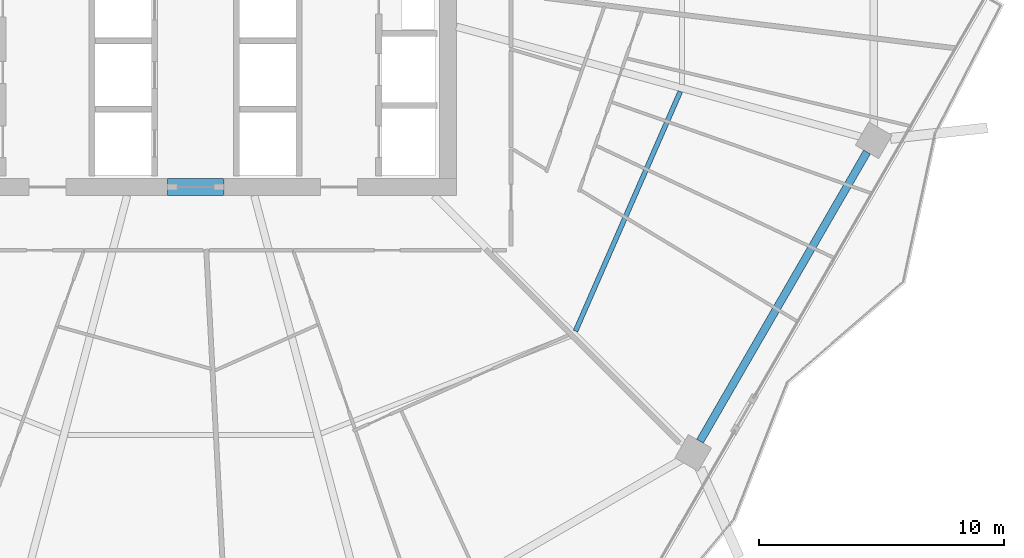
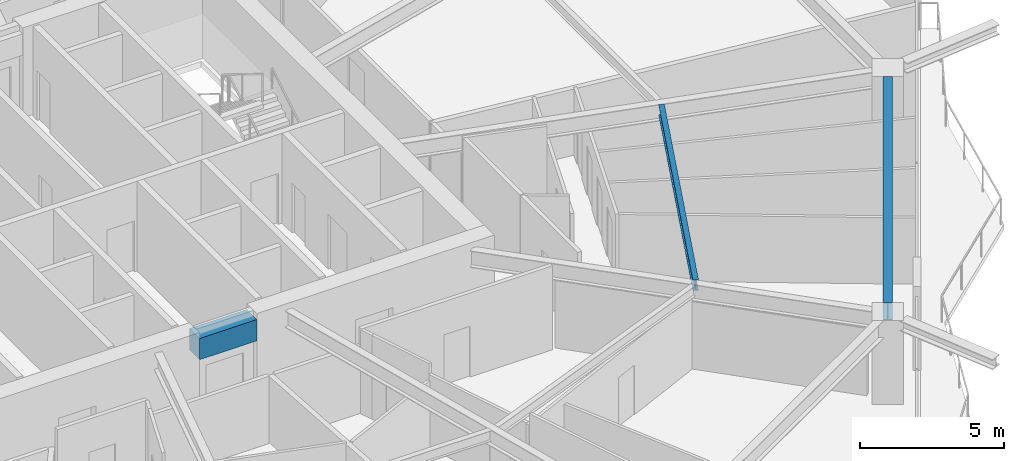
# One storey, part 10 of 32: 3 beams.
"""IFC4 building model written with IfcOpenShell, lengths in metres."""

import ifcopenshell
import ifcopenshell.guid

model = None  # the IFC model being written
_history = None  # IfcOwnerHistory: only IFC2X3 demands one
_inside = {}  # id of a spatial element -> (the spatial element, [elements in it])
_under = {}  # id of a project, library or spatial element -> (it, [spatial elements below it])
_declared = {}  # id of a project -> (the project, [libraries it declares])
_typed = {}  # id of a type object -> (the type object, [elements of that type])
_made_of = {}  # id of a material, layer set ... -> (it, [elements and type objects made of it])


def new_model(schema):
    """Start an empty IFC model of exactly this schema.

    Asked for "IFC4X3", IfcOpenShell would pick the latest addendum, in which some entities
    have other attributes; the version numbers below select the first issue.
    IFC2X3 requires an IfcOwnerHistory on every rooted entity: one is made here for all.
    """
    global model, _history
    if schema == "IFC4X3":
        model = ifcopenshell.file(schema_version=(4, 3, 0, 0))
    else:
        model = ifcopenshell.file(schema=schema)
    _inside.clear()
    _under.clear()
    _declared.clear()
    _typed.clear()
    _made_of.clear()
    _history = None
    if model.schema == "IFC2X3":
        org = make("IfcOrganization", Name="unknown")
        user = make(
            "IfcPersonAndOrganization",
            ThePerson=make("IfcPerson", FamilyName="unknown"),
            TheOrganization=org,
        )
        app = make(
            "IfcApplication",
            ApplicationDeveloper=org,
            Version="unknown",
            ApplicationFullName="unknown",
            ApplicationIdentifier="unknown",
        )
        _history = make(
            "IfcOwnerHistory",
            OwningUser=user,
            OwningApplication=app,
            ChangeAction="ADDED",
            CreationDate=0,
        )
    return model


def make(cls, **values):
    """One entity of the class cls with the attributes given. An attribute that is None is left unset."""
    return model.create_entity(
        cls, **{name: value for name, value in values.items() if value is not None}
    )


def rooted(cls, **values):
    """An entity with a GlobalId (a new one), such as an element, a storey or a relation."""
    return make(cls, GlobalId=ifcopenshell.guid.new(), OwnerHistory=_history, **values)


def si_unit(unit_type, name, prefix=None):
    """IfcSIUnit, for example si_unit("LENGTHUNIT", "METRE", prefix="MILLI")."""
    return make("IfcSIUnit", UnitType=unit_type, Prefix=prefix, Name=name)


def assignment(units):
    """IfcUnitAssignment: the units of a project."""
    return None if units is None else make("IfcUnitAssignment", Units=units)


def point(xyz):
    """IfcCartesianPoint."""
    return None if xyz is None else make("IfcCartesianPoint", Coordinates=xyz)


def direction(xyz):
    """IfcDirection."""
    return None if xyz is None else make("IfcDirection", DirectionRatios=xyz)


def frame(location, z_axis=None, x_axis=None):
    """IfcAxis2Placement3D, a coordinate frame: its origin and axes. An axis left out is left unset."""
    return make(
        "IfcAxis2Placement3D",
        Location=point(location),
        Axis=direction(z_axis),
        RefDirection=direction(x_axis),
    )


def frame_2d(location, x_axis=None):
    """IfcAxis2Placement2D, a coordinate frame in the plane: its origin and x axis."""
    return make(
        "IfcAxis2Placement2D", Location=point(location), RefDirection=direction(x_axis)
    )


def origin():
    """The frame at (0, 0, 0) with its axes left unset."""
    return frame((0.0, 0.0, 0.0))


def origin_2d():
    """The frame at (0, 0) in the plane with its x axis left unset."""
    return frame_2d((0.0, 0.0))


def place(relative_to, where):
    """IfcLocalPlacement: puts the frame where relative to a parent placement (None: the world)."""
    return make(
        "IfcLocalPlacement", PlacementRelTo=relative_to, RelativePlacement=where
    )


def context(
    kind, dimensions, precision=None, world=None, true_north=None, identifier=None
):
    """IfcGeometricRepresentationContext, for example the 3D "Model" context."""
    return make(
        "IfcGeometricRepresentationContext",
        ContextIdentifier=identifier,
        ContextType=kind,
        CoordinateSpaceDimension=dimensions,
        Precision=precision,
        WorldCoordinateSystem=world,
        TrueNorth=true_north,
    )


def subcontext(parent, identifier, kind, view, scale=None):
    """IfcGeometricRepresentationSubContext, for example "Body" below "Model"."""
    return make(
        "IfcGeometricRepresentationSubContext",
        ContextIdentifier=identifier,
        ContextType=kind,
        ParentContext=parent,
        TargetScale=scale,
        TargetView=view,
    )


def project(units=None, contexts=None):
    """IfcProject with its units and contexts."""
    return rooted(
        "IfcProject",
        Name="project",
        RepresentationContexts=contexts,
        UnitsInContext=assignment(units),
    )


def spatial(cls, under=None, at=None, **own):
    """A site, building, storey or space (cls), placed at a placement, below another one or the project."""
    s = rooted(cls, ObjectPlacement=at, **own)
    if under is not None:
        _under.setdefault(under.id(), (under, []))[1].append(s)
    return s


def profile(cls, at=None, kind="AREA", **sizes):
    """A parametric profile (cls). Its sizes go by their IFC names, for example OverallWidth=200.0."""
    return make(cls, ProfileType=kind, Position=at, **sizes)


def rectangle(**sizes):
    """IfcRectangleProfileDef."""
    return profile("IfcRectangleProfileDef", **sizes)


def i_section(**sizes):
    """IfcIShapeProfileDef."""
    return profile("IfcIShapeProfileDef", **sizes)


def extrude(swept, where, along, depth):
    """IfcExtrudedAreaSolid: the profile swept, set in the frame where, extruded along a direction by depth."""
    return make(
        "IfcExtrudedAreaSolid",
        SweptArea=swept,
        Position=where,
        ExtrudedDirection=direction(along),
        Depth=depth,
    )


def shape(context_of_items, identifier, shape_type, items):
    """IfcShapeRepresentation: the items that make up one representation, for example the "Body"."""
    return make(
        "IfcShapeRepresentation",
        ContextOfItems=context_of_items,
        RepresentationIdentifier=identifier,
        RepresentationType=shape_type,
        Items=items,
    )


def material(Name=None, Category=None):
    """IfcMaterial."""
    return make("IfcMaterial", Name=Name, Category=Category)


def material_profile(
    of_material, cross_section, Name=None, Category=None, Priority=None
):
    """IfcMaterialProfile: a cross section and its material."""
    return make(
        "IfcMaterialProfile",
        Name=Name,
        Material=of_material,
        Profile=cross_section,
        Priority=Priority,
        Category=Category,
    )


def profile_set(profiles, Name=None, composite=None):
    """IfcMaterialProfileSet."""
    return make(
        "IfcMaterialProfileSet",
        Name=Name,
        MaterialProfiles=profiles,
        CompositeProfile=composite,
    )


def made_of(thing, what):
    """Note that an element or type object is made of a material, layer set ...; save() writes the relation."""
    if what is not None:
        _made_of.setdefault(what.id(), (what, []))[1].append(thing)
    return thing


def type_object(cls, material=None, **own):
    """A type object (cls), such as IfcWallType, which elements share."""
    return made_of(rooted(cls, **own), material)


def element(
    cls,
    number,
    at=None,
    inside=None,
    cuts=None,
    type_object=None,
    material=None,
    context=None,
    identifier="Body",
    shape_type=None,
    held_by="IfcProductDefinitionShape",
    body=None,
    shapes=None,
    **own,
):
    """One element of the class cls, such as IfcWall. Its Tag is "e" and its number.

    at: its placement. inside: the storey or other place that contains it. cuts: it is an
    opening in that element (IfcRelVoidsElement). A single representation is given by context,
    identifier, shape_type and body (its items); several are given by shapes. held_by: the class
    of the entity that holds the representations. save() writes the other relations.
    """
    e = rooted(cls, Tag="e%d" % number, ObjectPlacement=at, **own)
    if body is not None:
        shapes = [shape(context, identifier, shape_type, body)]
    if shapes is not None:
        e.Representation = make(held_by, Representations=shapes)
    if inside is not None:
        _inside.setdefault(inside.id(), (inside, []))[1].append(e)
    if cuts is not None:
        rooted(
            "IfcRelVoidsElement", RelatingBuildingElement=cuts, RelatedOpeningElement=e
        )
    if type_object is not None:
        _typed.setdefault(type_object.id(), (type_object, []))[1].append(e)
    return made_of(e, material)


def aggregate(whole, parts):
    """IfcRelAggregates: a whole, such as a stair, and the parts it consists of."""
    return rooted("IfcRelAggregates", RelatingObject=whole, RelatedObjects=parts)


def save(model, path):
    """Write the relations noted so far, then the file.

    IfcRelAggregates (storeys below a building ...), IfcRelContainedInSpatialStructure (elements
    in a storey), IfcRelDefinesByType, IfcRelAssociatesMaterial and IfcRelDeclares: one each for
    every whole, place, type object, material and project.
    """
    for whole, parts in _under.values():
        aggregate(whole, parts)
    for where, things in _inside.values():
        rooted(
            "IfcRelContainedInSpatialStructure",
            RelatedElements=things,
            RelatingStructure=where,
        )
    for kind, things in _typed.values():
        rooted("IfcRelDefinesByType", RelatedObjects=things, RelatingType=kind)
    for what, things in _made_of.values():
        rooted("IfcRelAssociatesMaterial", RelatedObjects=things, RelatingMaterial=what)
    for by, libraries in _declared.values():
        rooted("IfcRelDeclares", RelatingContext=by, RelatedDefinitions=libraries)
    model.write(path)


model = new_model("IFC4")

# Units and contexts
model_context = context("Model", 3, precision=1e-05, world=origin(), true_north=direction((0.0, 1.0)))
body_context = subcontext(model_context, "Body", "Model", "MODEL_VIEW")
ifc_project = project(units=[si_unit("LENGTHUNIT", "METRE"), si_unit("AREAUNIT", "SQUARE_METRE"), si_unit("VOLUMEUNIT", "CUBIC_METRE"), si_unit("PLANEANGLEUNIT", "RADIAN"), si_unit("MASSUNIT", "GRAM", prefix="KILO")], contexts=[model_context])

# Site, building, storey
site_placement = place(None, origin())
site = spatial("IfcSite", under=ifc_project, at=site_placement, CompositionType="ELEMENT")
building_placement = place(site_placement, origin())
building = spatial("IfcBuilding", under=site, at=building_placement, Name="Zuhravey Tower", CompositionType="ELEMENT")
storey_placement = place(building_placement, frame((0.0, 0.0, 119.0)))
storey = spatial("IfcBuildingStorey", under=building, at=storey_placement, Name="L29", CompositionType="ELEMENT", Elevation=119.0)

# Beams
ifc_material_1 = material(Name="Concrete C60/75", Category="concrete")
ifc_material_profile_1 = material_profile(ifc_material_1, rectangle(XDim=0.699951171875, YDim=0.89990234375, at=origin_2d()), Name="RC-700x900")
ifc_profile_set_1 = profile_set([ifc_material_profile_1], Name="Concrete C60/75")
beam_type_1 = type_object("IfcBeamType", Name="Core Coupling Beam RC700x900", PredefinedType="LINTEL", material=ifc_profile_set_1)
beam_1_placement = place(storey_placement, frame((35.052001953125, 22.5, 3.10009765625), z_axis=(1.0, 0.0, 0.0), x_axis=(0.0, 1.0, 0.0)))
element("IfcBeam", 1, at=beam_1_placement, inside=storey, type_object=beam_type_1, Name="L29 CB1 BM-L29-CB-S", PredefinedType="LINTEL", context=body_context, shape_type="SweptSolid", body=[
    extrude(rectangle(XDim=0.699951171875, YDim=0.89990234375, at=origin_2d()), origin(), (0.0, 0.0, 1.0), 2.2958984375),
])
ifc_material_2 = material(Name="Steel SM355", Category="steel")
ifc_material_profile_2 = material_profile(ifc_material_2, i_section(OverallWidth=0.320068359375, OverallDepth=0.75, WebThickness=0.013916015625, FlangeThickness=0.02490234375, at=origin_2d()), Name="H-750x320x14x25")
ifc_profile_set_2 = profile_set([ifc_material_profile_2], Name="Steel SM355")
beam_type_2 = type_object("IfcBeamType", Name="Perimeter Ring Beam H750x320", PredefinedType="BEAM", material=ifc_profile_set_2)
beam_2_placement = place(storey_placement, frame((56.79541015625, 12.1220703125, 3.175048828125), z_axis=(0.500008177929, 0.866020682204, 0.0), x_axis=(-0.866020682204, 0.500008177929, 0.0)))
element("IfcBeam", 2, at=beam_2_placement, inside=storey, type_object=beam_type_2, Name="L29 PB1 BM-L29-PB-11", PredefinedType="BEAM", context=body_context, shape_type="SweptSolid", body=[
    extrude(i_section(OverallWidth=0.320068359375, OverallDepth=0.75, WebThickness=0.013916015625, FlangeThickness=0.02490234375, at=origin_2d()), origin(), (0.0, 0.0, 1.0), 13.634033203125),
])
ifc_material_profile_3 = material_profile(ifc_material_2, i_section(OverallWidth=0.199951171875, OverallDepth=0.449951171875, WebThickness=0.009033203125, FlangeThickness=0.013916015625, at=origin_2d()), Name="H-450x200x9x14")
ifc_profile_set_3 = profile_set([ifc_material_profile_3], Name="Steel SM355")
beam_type_3 = type_object("IfcBeamType", Name="Secondary Floor Joist H450x200", PredefinedType="JOIST", material=ifc_profile_set_3)
beam_3_placement = place(storey_placement, frame((51.71044921875, 16.615966796875, 3.324951171875), z_axis=(0.400786454617, 0.916171500209, 0.0), x_axis=(-0.916171500209, 0.400786454617, 0.0)))
element("IfcBeam", 3, at=beam_3_placement, inside=storey, type_object=beam_type_3, Name="L29 SJ1 BM-L29-SJ-11-1", PredefinedType="JOIST", context=body_context, shape_type="SweptSolid", body=[
    extrude(i_section(OverallWidth=0.199951171875, OverallDepth=0.449951171875, WebThickness=0.009033203125, FlangeThickness=0.013916015625, at=origin_2d()), origin(), (0.0, 0.0, 1.0), 10.6796875),
])

save(model, "model.ifc")
